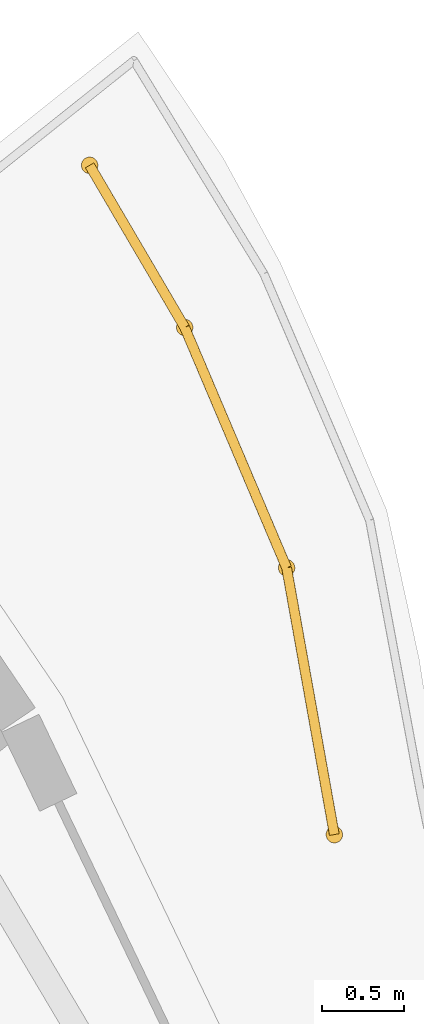
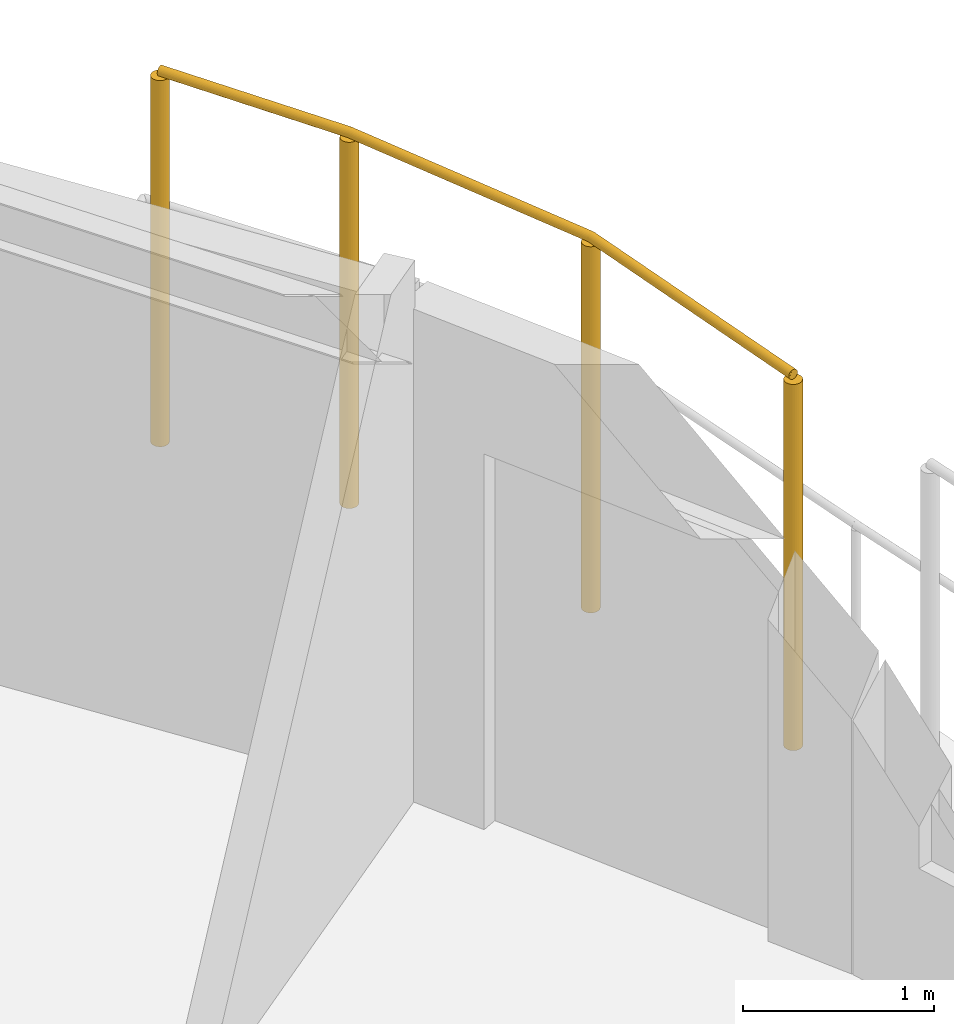
# One storey, part 15 of 15: 1 railing.
"""IFC4 building model written with IfcOpenShell, lengths in metres."""

from ifc_helpers import new_model, si_unit, direction, frame, origin, origin_2d, place, context, subcontext, project, spatial, circle, extrude, material, type_object, element, save


model = new_model("IFC4")

# Units and contexts
model_context = context("Model", 3, precision=1e-05, world=origin(), true_north=direction((0.0, 1.0)))
body_context = subcontext(model_context, "Body", "Model", "MODEL_VIEW")
ifc_project = project(units=[si_unit("LENGTHUNIT", "METRE"), si_unit("AREAUNIT", "SQUARE_METRE"), si_unit("VOLUMEUNIT", "CUBIC_METRE"), si_unit("PLANEANGLEUNIT", "RADIAN"), si_unit("MASSUNIT", "GRAM", prefix="KILO")], contexts=[model_context])

# Site, building, storey
site_placement = place(None, origin())
site = spatial("IfcSite", under=ifc_project, at=site_placement, CompositionType="ELEMENT")
building_placement = place(site_placement, origin())
building = spatial("IfcBuilding", under=site, at=building_placement, Name="Vermilion Reach Broadcast Tower", CompositionType="ELEMENT")
storey_placement = place(building_placement, frame((0.0, 0.0, 261.300048828125)))
storey = spatial("IfcBuildingStorey", under=building, at=storey_placement, Name="L64", CompositionType="ELEMENT", Elevation=261.300048828125)

# Railing
ifc_material = material(Name="Terracotta baguette", Category="masonry")
railing_type = type_object("IfcRailingType", Name="BAGUETTE SCREEN", PredefinedType="USERDEFINED", material=ifc_material)
railing_placement = place(storey_placement, frame((15.78271484375, 14.831787109375, 0.0)))
element("IfcRailing", 1, at=railing_placement, inside=storey, type_object=railing_type, Name="Baguette screen L64 group 4 part 2", ObjectType="BAGUETTE SCREEN", PredefinedType="USERDEFINED", context=body_context, shape_type="SweptSolid", body=[
    extrude(circle(Radius=0.030029296875, at=origin_2d()), frame((0.0, 0.0, 2.369873046875), z_axis=(-0.4472135955, 0.894427191, 0.0), x_axis=(-0.894427191, -0.4472135955, 0.0)), (0.0, 0.0, 1.0), 0.00048828125),
    extrude(circle(Radius=0.030029296875, at=origin_2d()), frame((-0.000244140625, 0.00048828125, 2.369873046875), z_axis=(-0.176073475759, 0.984377026923, 0.0), x_axis=(-0.984377026923, -0.176073475759, 0.0)), (0.0, 0.0, 1.0), 1.64306640625),
    extrude(circle(Radius=0.030029296875, at=origin_2d()), frame((-0.28955078125, 1.617919921875, 2.369873046875), z_axis=(-0.39037951684, 0.920654024502, 0.0), x_axis=(-0.920654024502, -0.39037951684, 0.0)), (0.0, 0.0, 1.0), 1.582763671875),
    extrude(circle(Radius=0.030029296875, at=origin_2d()), frame((-0.907470703125, 3.0751953125, 2.369873046875), z_axis=(-0.505867957367, 0.862610926032, 0.0), x_axis=(-0.862610926032, -0.505867957367, 0.0)), (0.0, 0.0, 1.0), 1.139404296875),
    extrude(circle(Radius=0.050048828125, at=origin_2d()), origin(), (0.0, 0.0, 1.0), 2.33984375),
    extrude(circle(Radius=0.050048828125, at=origin_2d()), frame((-0.000244140625, 0.00048828125, 0.0)), (0.0, 0.0, 1.0), 2.33984375),
    extrude(circle(Radius=0.050048828125, at=origin_2d()), frame((-0.28955078125, 1.617919921875, 0.0)), (0.0, 0.0, 1.0), 2.33984375),
    extrude(circle(Radius=0.050048828125, at=origin_2d()), frame((-0.907470703125, 3.0751953125, 0.0)), (0.0, 0.0, 1.0), 2.33984375),
    extrude(circle(Radius=0.050048828125, at=origin_2d()), frame((-1.48388671875, 4.05810546875, 0.0)), (0.0, 0.0, 1.0), 2.33984375),
])

save(model, "model.ifc")
